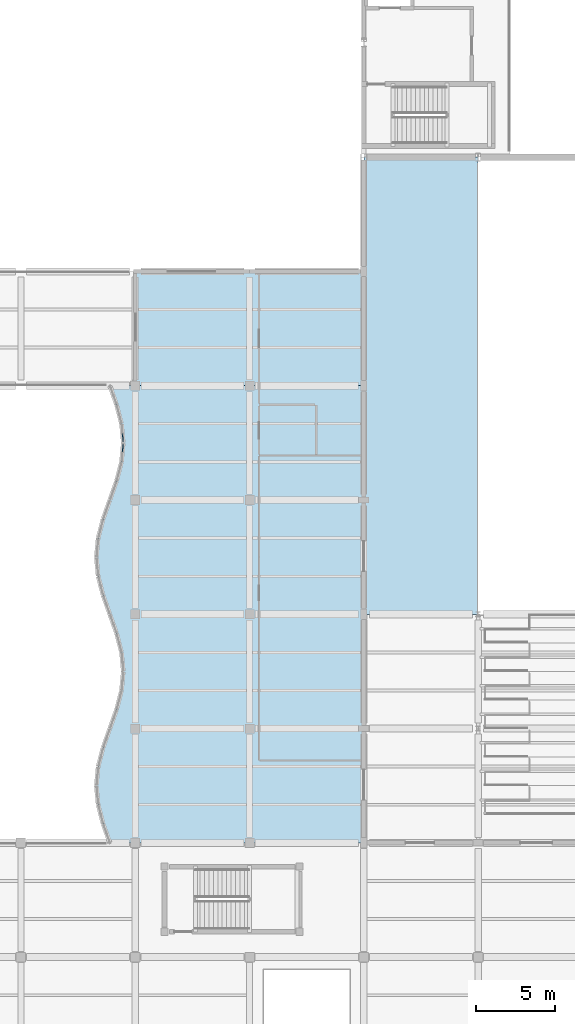
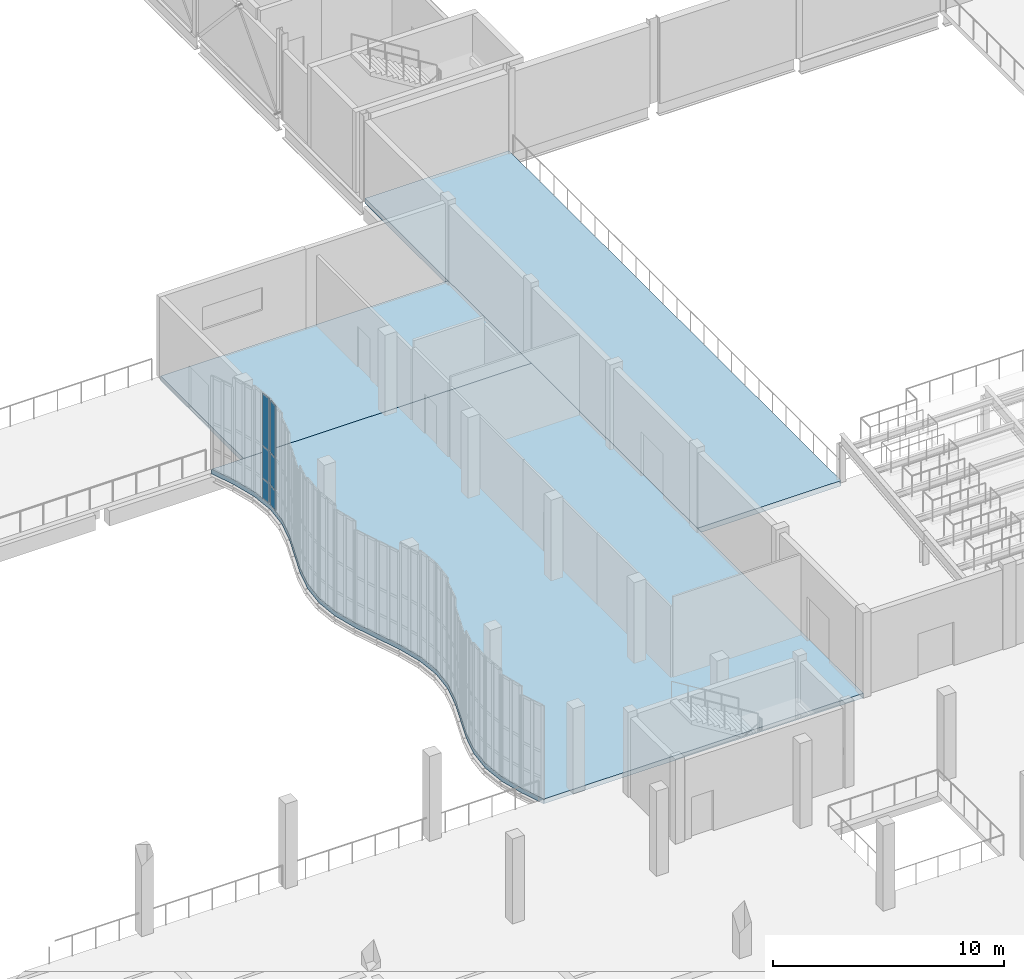
# One storey, part 82 of 105: 6 plates, 3 slabs, 2 elements without a shape of their own.
"""IFC4 building model written with IfcOpenShell, lengths in metres."""

from ifc_helpers import new_model, si_unit, direction, frame, origin, origin_2d, place, context, subcontext, project, spatial, polyline, rectangle, outline, extrude, material, layer, layer_set, type_object, element, aggregate, save


model = new_model("IFC4")

# Units and contexts
model_context = context("Model", 3, precision=1e-05, world=origin(), true_north=direction((0.0, 1.0)))
body_context = subcontext(model_context, "Body", "Model", "MODEL_VIEW")
ifc_project = project(units=[si_unit("LENGTHUNIT", "METRE"), si_unit("AREAUNIT", "SQUARE_METRE"), si_unit("VOLUMEUNIT", "CUBIC_METRE"), si_unit("PLANEANGLEUNIT", "RADIAN"), si_unit("MASSUNIT", "GRAM", prefix="KILO"), si_unit("THERMODYNAMICTEMPERATUREUNIT", "KELVIN"), si_unit("POWERUNIT", "WATT")], contexts=[model_context])

# Site, building, storey
site_placement = place(None, origin())
site = spatial("IfcSite", under=ifc_project, at=site_placement, CompositionType="ELEMENT")
building_placement = place(site_placement, origin())
building = spatial("IfcBuilding", under=site, at=building_placement, Name="Kaldorven Railside Theatre", CompositionType="ELEMENT")
storey_placement = place(building_placement, frame((0.0, 0.0, 9.89990234375)))
storey = spatial("IfcBuildingStorey", under=building, at=storey_placement, Name="L02", CompositionType="ELEMENT", Elevation=9.89990234375)

# Curtain wall, plates
ifc_material_1 = material(Name="Low-E laminated solar-control glass", Category="glass")
ifc_layer_1 = layer(ifc_material_1, 0.159912109375, Name="Low-E laminated solar-control glass")
ifc_layer_set_1 = layer_set([ifc_layer_1], Name="Low-E laminated solar-control glass")
curtain_wall_type = type_object("IfcCurtainWallType", Name="CWT-24", PredefinedType="USERDEFINED", material=ifc_layer_set_1)
curtain_wall_1_placement = place(storey_placement, origin())
curtain_wall_1 = element("IfcCurtainWall", 1, at=curtain_wall_1_placement, inside=storey, type_object=curtain_wall_type, Name="Sinusoidal Fluted Curtain Wall CW-L02-W21", ObjectType="FLUTED GLAZING", PredefinedType="USERDEFINED")
ifc_layer_2 = layer(ifc_material_1, 0.035888671875, Name="Low-E laminated solar-control glass")
ifc_layer_set_2 = layer_set([ifc_layer_2], Name="Low-E laminated solar-control glass")
plate_type = type_object("IfcPlateType", Name="CWP-CREST36", PredefinedType="CURTAIN_PANEL", material=ifc_layer_set_2)
plate_1_placement = place(storey_placement, frame((72.01953125, 65.68017578125, 0.06005859375), z_axis=(0.0, 0.0, 1.0), x_axis=(0.094491973758, 0.995525623425, 0.0)))
plate_1 = element("IfcPlate", 2, at=plate_1_placement, type_object=plate_type, Name="CW-L02-W21 panel 2.1", PredefinedType="CURTAIN_PANEL", context=body_context, shape_type="SweptSolid", body=[
    extrude(rectangle(XDim=0.482666015625, YDim=0.035888671875, at=origin_2d()), origin(), (0.0, 0.0, 1.0), 1.010009765625),
])
plate_2_placement = place(storey_placement, frame((72.01953125, 65.68017578125, 1.13037109375), z_axis=(0.0, 0.0, 1.0), x_axis=(0.094491973758, 0.995525623425, 0.0)))
plate_2 = element("IfcPlate", 3, at=plate_2_placement, type_object=plate_type, Name="CW-L02-W21 panel 2.2", PredefinedType="CURTAIN_PANEL", context=body_context, shape_type="SweptSolid", body=[
    extrude(rectangle(XDim=0.482666015625, YDim=0.035888671875, at=origin_2d()), origin(), (0.0, 0.0, 1.0), 1.659912109375),
])
plate_3_placement = place(storey_placement, frame((72.01953125, 65.68017578125, 2.85009765625), z_axis=(0.0, 0.0, 1.0), x_axis=(0.094491973758, 0.995525623425, 0.0)))
plate_3 = element("IfcPlate", 4, at=plate_3_placement, type_object=plate_type, Name="CW-L02-W21 panel 2.3", PredefinedType="CURTAIN_PANEL", context=body_context, shape_type="SweptSolid", body=[
    extrude(rectangle(XDim=0.482666015625, YDim=0.035888671875, at=origin_2d()), origin(), (0.0, 0.0, 1.0), 2.72998046875),
])
aggregate(curtain_wall_1, [plate_1, plate_2, plate_3])

curtain_wall_2_placement = place(storey_placement, origin())
curtain_wall_2 = element("IfcCurtainWall", 5, at=curtain_wall_2_placement, inside=storey, type_object=curtain_wall_type, Name="Sinusoidal Fluted Curtain Wall CW-L02-W22", ObjectType="FLUTED GLAZING", PredefinedType="USERDEFINED")
plate_4_placement = place(storey_placement, frame((72.01953125, 66.31982421875, 0.06005859375), z_axis=(0.0, 0.0, 1.0), x_axis=(-0.094491973758, 0.995525623425, 0.0)))
plate_4 = element("IfcPlate", 6, at=plate_4_placement, type_object=plate_type, Name="CW-L02-W22 panel 1.1", PredefinedType="CURTAIN_PANEL", context=body_context, shape_type="SweptSolid", body=[
    extrude(rectangle(XDim=0.482666015625, YDim=0.035888671875, at=origin_2d()), origin(), (0.0, 0.0, 1.0), 1.010009765625),
])
plate_5_placement = place(storey_placement, frame((72.01953125, 66.31982421875, 1.13037109375), z_axis=(0.0, 0.0, 1.0), x_axis=(-0.094491973758, 0.995525623425, 0.0)))
plate_5 = element("IfcPlate", 7, at=plate_5_placement, type_object=plate_type, Name="CW-L02-W22 panel 1.2", PredefinedType="CURTAIN_PANEL", context=body_context, shape_type="SweptSolid", body=[
    extrude(rectangle(XDim=0.482666015625, YDim=0.035888671875, at=origin_2d()), origin(), (0.0, 0.0, 1.0), 1.659912109375),
])
plate_6_placement = place(storey_placement, frame((72.01953125, 66.31982421875, 2.85009765625), z_axis=(0.0, 0.0, 1.0), x_axis=(-0.094491973758, 0.995525623425, 0.0)))
plate_6 = element("IfcPlate", 8, at=plate_6_placement, type_object=plate_type, Name="CW-L02-W22 panel 1.3", PredefinedType="CURTAIN_PANEL", context=body_context, shape_type="SweptSolid", body=[
    extrude(rectangle(XDim=0.482666015625, YDim=0.035888671875, at=origin_2d()), origin(), (0.0, 0.0, 1.0), 2.72998046875),
])
aggregate(curtain_wall_2, [plate_4, plate_5, plate_6])

# Slabs
ifc_material_2 = material(Name="Concrete C35/45", Category="concrete")
ifc_layer_3 = layer(ifc_material_2, 0.25, Name="Concrete C35/45")
ifc_layer_set_3 = layer_set([ifc_layer_3], Name="Concrete C35/45")
slab_type_1 = type_object("IfcSlabType", Name="SLB-FSL-250", PredefinedType="FLOOR", material=ifc_layer_set_3)
slab_1_placement = place(storey_placement, frame((0.0, 0.0, -0.25)))
element("IfcSlab", 9, at=slab_1_placement, inside=storey, type_object=slab_type_1, Name="L02 Floor Slab SL-L02-V5W", PredefinedType="FLOOR", context=body_context, shape_type="SweptSolid", body=[
    extrude(outline(polyline([(71.199951171875, 40.800048828125), (87.199951171875, 40.800048828125), (87.199951171875, 69.60009765625), (71.199951171875, 69.60009765625), (71.625, 68.39990234375), (71.93603515625, 67.199951171875), (72.050048828125, 66.0), (71.93603515625, 64.800048828125), (71.625, 63.60009765625), (71.199951171875, 62.39990234375), (70.77490234375, 61.199951171875), (70.4638671875, 60.0), (70.35009765625, 58.800048828125), (70.4638671875, 57.60009765625), (70.77490234375, 56.39990234375), (71.199951171875, 55.199951171875), (71.625, 54.0), (71.93603515625, 52.800048828125), (72.050048828125, 51.60009765625), (71.93603515625, 50.39990234375), (71.625, 49.199951171875), (71.199951171875, 48.0), (70.77490234375, 46.800048828125), (70.4638671875, 45.60009765625), (70.35009765625, 44.39990234375), (70.4638671875, 43.199951171875), (70.77490234375, 42.0), (71.199951171875, 40.800048828125)])), origin(), (0.0, 0.0, 1.0), 0.25),
])
slab_2_placement = place(storey_placement, frame((0.0, 0.0, -0.25)))
element("IfcSlab", 10, at=slab_2_placement, inside=storey, type_object=slab_type_1, Name="L02 Floor Slab SL-L02-V5WN", PredefinedType="FLOOR", context=body_context, shape_type="SweptSolid", body=[
    extrude(outline(polyline([(72.800048828125, 69.60009765625), (87.199951171875, 69.60009765625), (87.199951171875, 76.800048828125), (72.800048828125, 76.800048828125), (72.800048828125, 69.60009765625)])), origin(), (0.0, 0.0, 1.0), 0.25),
])
ifc_layer_4 = layer(ifc_material_2, 0.280029296875, Name="Concrete C35/45")
ifc_layer_set_4 = layer_set([ifc_layer_4], Name="Concrete C35/45")
slab_type_2 = type_object("IfcSlabType", Name="SLB-FSL-280", PredefinedType="FLOOR", material=ifc_layer_set_4)
slab_3_placement = place(storey_placement, frame((0.0, 0.0, -0.27978515625)))
element("IfcSlab", 11, at=slab_3_placement, inside=storey, type_object=slab_type_2, Name="L02 Floor Slab SL-L02-V1W", PredefinedType="FLOOR", context=body_context, shape_type="SweptSolid", body=[
    extrude(outline(polyline([(87.199951171875, 55.199951171875), (94.39990234375, 55.199951171875), (94.39990234375, 84.0), (87.199951171875, 84.0), (87.199951171875, 55.199951171875)])), origin(), (0.0, 0.0, 1.0), 0.27978515625),
])

save(model, "model.ifc")
